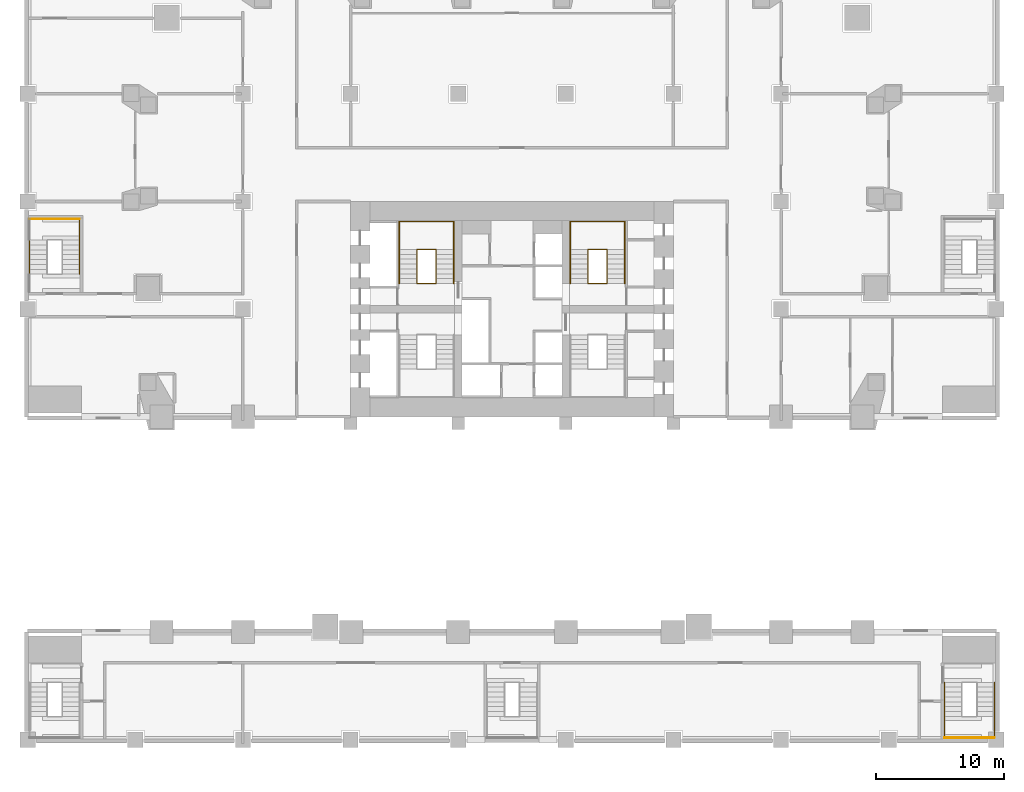
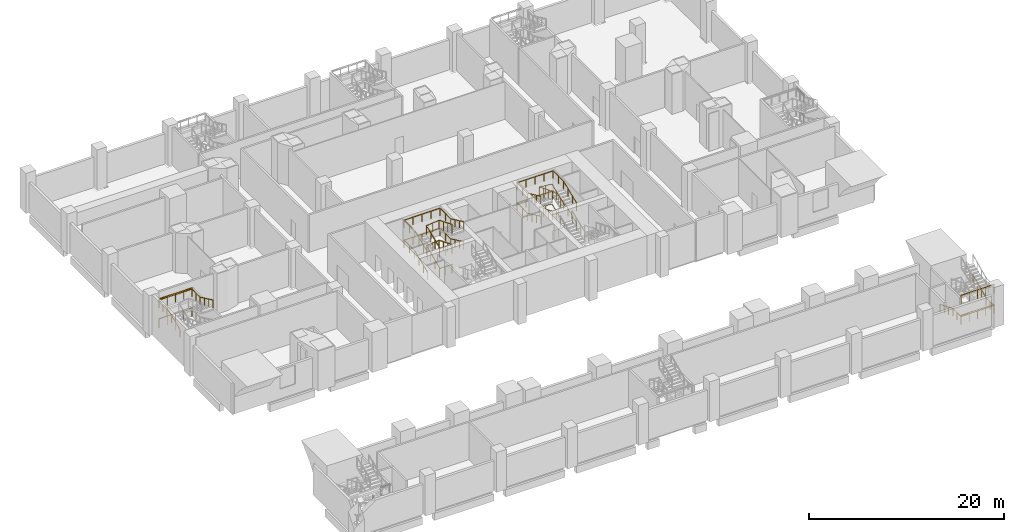
# One storey, part 13 of 16: 14 railings.
"""IFC4 building model written with IfcOpenShell, lengths in metres."""

from ifc_helpers import new_model, si_unit, direction, frame, origin, origin_2d, place, context, subcontext, project, spatial, circle, extrude, material, type_object, element, save


model = new_model("IFC4")

# Units and contexts
model_context = context("Model", 3, precision=1e-05, world=origin(), true_north=direction((0.0, 1.0)))
body_context = subcontext(model_context, "Body", "Model", "MODEL_VIEW")
ifc_project = project(units=[si_unit("LENGTHUNIT", "METRE"), si_unit("AREAUNIT", "SQUARE_METRE"), si_unit("VOLUMEUNIT", "CUBIC_METRE"), si_unit("PLANEANGLEUNIT", "RADIAN"), si_unit("MASSUNIT", "GRAM", prefix="KILO")], contexts=[model_context])

# Site, building, storey
site_placement = place(None, origin())
site = spatial("IfcSite", under=ifc_project, at=site_placement, CompositionType="ELEMENT")
building_placement = place(site_placement, origin())
building = spatial("IfcBuilding", under=site, at=building_placement, Name="Marenta Gate Hotel Tower", CompositionType="ELEMENT")
storey_placement = place(building_placement, frame((0.0, 0.0, 21.0)))
storey = spatial("IfcBuildingStorey", under=building, at=storey_placement, Name="L03", CompositionType="ELEMENT", Elevation=21.0)

# Railings
ifc_material_1 = material(Name="Stainless steel", Category="steel")
railing_type_1 = type_object("IfcRailingType", Name="Core stair handrail 950", PredefinedType="HANDRAIL", material=ifc_material_1)
railing_1_placement = place(storey_placement, frame((-8.800048828125, 10.39990234375, 0.15625)))
element("IfcRailing", 1, at=railing_1_placement, inside=storey, type_object=railing_type_1, Name="HR-950 L03-KR-ST2-1", PredefinedType="HANDRAIL", context=body_context, shape_type="SweptSolid", body=[
    extrude(circle(Radius=0.02392578125, at=origin_2d()), frame((0.0, 0.0, 0.92578125), z_axis=(0.0, 0.924874861033, 0.380271602187), x_axis=(-1.0, 0.0, 0.0)), (0.0, 0.0, 1.0), 2.876220703125),
    extrude(circle(Radius=0.02392578125, at=origin_2d()), frame((0.0, 2.66015625, 2.01953125), z_axis=(0.0, 1.0, 0.0), x_axis=(-1.0, 0.0, 0.0)), (0.0, 0.0, 1.0), 2.18994140625),
    extrude(circle(Radius=0.02392578125, at=origin_2d()), frame((0.0, 4.85009765625, 2.01953125), z_axis=(1.0, 0.0, 0.0), x_axis=(0.0, 1.0, 0.0)), (0.0, 0.0, 1.0), 4.25),
    extrude(circle(Radius=0.02392578125, at=origin_2d()), frame((4.25, 4.85009765625, 2.01953125), z_axis=(0.0, -1.0, 0.0), x_axis=(1.0, 0.0, 0.0)), (0.0, 0.0, 1.0), 2.18994140625),
    extrude(circle(Radius=0.02392578125, at=origin_2d()), frame((4.25, 2.66015625, 2.01953125), z_axis=(0.0, -0.905059511965, 0.425284939543), x_axis=(1.0, 0.0, 0.0)), (0.0, 0.0, 1.0), 2.939208984375),
    extrude(circle(Radius=0.02099609375, at=origin_2d()), origin(), (0.0, 0.0, 1.0), 0.90185546875),
    extrude(circle(Radius=0.02099609375, at=origin_2d()), frame((0.0, 0.88671875, 0.364501953125)), (0.0, 0.0, 1.0), 0.90185546875),
    extrude(circle(Radius=0.02099609375, at=origin_2d()), frame((0.0, 1.7734375, 0.729248046875)), (0.0, 0.0, 1.0), 0.90185546875),
    extrude(circle(Radius=0.02099609375, at=origin_2d()), frame((0.0, 2.66015625, 1.09375)), (0.0, 0.0, 1.0), 0.90185546875),
    extrude(circle(Radius=0.02099609375, at=origin_2d()), frame((0.0, 3.755126953125, 1.09375)), (0.0, 0.0, 1.0), 0.90185546875),
    extrude(circle(Radius=0.02099609375, at=origin_2d()), frame((0.0, 4.85009765625, 1.09375)), (0.0, 0.0, 1.0), 0.90185546875),
    extrude(circle(Radius=0.02099609375, at=origin_2d()), frame((1.0625, 4.85009765625, 1.09375)), (0.0, 0.0, 1.0), 0.90185546875),
    extrude(circle(Radius=0.02099609375, at=origin_2d()), frame((2.125, 4.85009765625, 1.09375)), (0.0, 0.0, 1.0), 0.90185546875),
    extrude(circle(Radius=0.02099609375, at=origin_2d()), frame((3.1875, 4.85009765625, 1.09375)), (0.0, 0.0, 1.0), 0.90185546875),
    extrude(circle(Radius=0.02099609375, at=origin_2d()), frame((4.25, 4.85009765625, 1.09375)), (0.0, 0.0, 1.0), 0.90185546875),
    extrude(circle(Radius=0.02099609375, at=origin_2d()), frame((4.25, 3.755126953125, 1.09375)), (0.0, 0.0, 1.0), 0.90185546875),
    extrude(circle(Radius=0.02099609375, at=origin_2d()), frame((4.25, 2.66015625, 1.09375)), (0.0, 0.0, 1.0), 0.90185546875),
    extrude(circle(Radius=0.02099609375, at=origin_2d()), frame((4.25, 1.7734375, 1.510498046875)), (0.0, 0.0, 1.0), 0.90185546875),
    extrude(circle(Radius=0.02099609375, at=origin_2d()), frame((4.25, 0.88671875, 1.927001953125)), (0.0, 0.0, 1.0), 0.90185546875),
    extrude(circle(Radius=0.02099609375, at=origin_2d()), frame((4.25, 0.0, 2.34375)), (0.0, 0.0, 1.0), 0.90185546875),
])
railing_2_placement = place(storey_placement, frame((-8.800048828125, 10.39990234375, 2.65625)))
element("IfcRailing", 2, at=railing_2_placement, inside=storey, type_object=railing_type_1, Name="HR-950 L03-KR-ST2-3", PredefinedType="HANDRAIL", context=body_context, shape_type="SweptSolid", body=[
    extrude(circle(Radius=0.02392578125, at=origin_2d()), frame((0.0, 0.0, 0.92578125), z_axis=(0.0, 0.924874861033, 0.380271602187), x_axis=(-1.0, 0.0, 0.0)), (0.0, 0.0, 1.0), 2.876220703125),
    extrude(circle(Radius=0.02392578125, at=origin_2d()), frame((0.0, 2.66015625, 2.01953125), z_axis=(0.0, 1.0, 0.0), x_axis=(-1.0, 0.0, 0.0)), (0.0, 0.0, 1.0), 2.18994140625),
    extrude(circle(Radius=0.02392578125, at=origin_2d()), frame((0.0, 4.85009765625, 2.01953125), z_axis=(1.0, 0.0, 0.0), x_axis=(0.0, 1.0, 0.0)), (0.0, 0.0, 1.0), 4.25),
    extrude(circle(Radius=0.02392578125, at=origin_2d()), frame((4.25, 4.85009765625, 2.01953125), z_axis=(0.0, -1.0, 0.0), x_axis=(1.0, 0.0, 0.0)), (0.0, 0.0, 1.0), 2.18994140625),
    extrude(circle(Radius=0.02392578125, at=origin_2d()), frame((4.25, 2.66015625, 2.01953125), z_axis=(0.0, -0.905059511965, 0.425284939543), x_axis=(1.0, 0.0, 0.0)), (0.0, 0.0, 1.0), 2.939208984375),
    extrude(circle(Radius=0.02099609375, at=origin_2d()), origin(), (0.0, 0.0, 1.0), 0.90185546875),
    extrude(circle(Radius=0.02099609375, at=origin_2d()), frame((0.0, 0.88671875, 0.364501953125)), (0.0, 0.0, 1.0), 0.90185546875),
    extrude(circle(Radius=0.02099609375, at=origin_2d()), frame((0.0, 1.7734375, 0.729248046875)), (0.0, 0.0, 1.0), 0.90185546875),
    extrude(circle(Radius=0.02099609375, at=origin_2d()), frame((0.0, 2.66015625, 1.09375)), (0.0, 0.0, 1.0), 0.90185546875),
    extrude(circle(Radius=0.02099609375, at=origin_2d()), frame((0.0, 3.755126953125, 1.09375)), (0.0, 0.0, 1.0), 0.90185546875),
    extrude(circle(Radius=0.02099609375, at=origin_2d()), frame((0.0, 4.85009765625, 1.09375)), (0.0, 0.0, 1.0), 0.90185546875),
    extrude(circle(Radius=0.02099609375, at=origin_2d()), frame((1.0625, 4.85009765625, 1.09375)), (0.0, 0.0, 1.0), 0.90185546875),
    extrude(circle(Radius=0.02099609375, at=origin_2d()), frame((2.125, 4.85009765625, 1.09375)), (0.0, 0.0, 1.0), 0.90185546875),
    extrude(circle(Radius=0.02099609375, at=origin_2d()), frame((3.1875, 4.85009765625, 1.09375)), (0.0, 0.0, 1.0), 0.90185546875),
    extrude(circle(Radius=0.02099609375, at=origin_2d()), frame((4.25, 4.85009765625, 1.09375)), (0.0, 0.0, 1.0), 0.90185546875),
    extrude(circle(Radius=0.02099609375, at=origin_2d()), frame((4.25, 3.755126953125, 1.09375)), (0.0, 0.0, 1.0), 0.90185546875),
    extrude(circle(Radius=0.02099609375, at=origin_2d()), frame((4.25, 2.66015625, 1.09375)), (0.0, 0.0, 1.0), 0.90185546875),
    extrude(circle(Radius=0.02099609375, at=origin_2d()), frame((4.25, 1.7734375, 1.510498046875)), (0.0, 0.0, 1.0), 0.90185546875),
    extrude(circle(Radius=0.02099609375, at=origin_2d()), frame((4.25, 0.88671875, 1.927001953125)), (0.0, 0.0, 1.0), 0.90185546875),
    extrude(circle(Radius=0.02099609375, at=origin_2d()), frame((4.25, 0.0, 2.34375)), (0.0, 0.0, 1.0), 0.90185546875),
])
railing_3_placement = place(storey_placement, frame((8.800048828125, 10.39990234375, 0.15625)))
element("IfcRailing", 3, at=railing_3_placement, inside=storey, type_object=railing_type_1, Name="HR-950 L03-KR-ST4-1", PredefinedType="HANDRAIL", context=body_context, shape_type="SweptSolid", body=[
    extrude(circle(Radius=0.02392578125, at=origin_2d()), frame((0.0, 0.0, 0.92578125), z_axis=(0.0, 0.924874861033, 0.380271602187), x_axis=(-1.0, 0.0, 0.0)), (0.0, 0.0, 1.0), 2.876220703125),
    extrude(circle(Radius=0.02392578125, at=origin_2d()), frame((0.0, 2.66015625, 2.01953125), z_axis=(0.0, 1.0, 0.0), x_axis=(-1.0, 0.0, 0.0)), (0.0, 0.0, 1.0), 2.18994140625),
    extrude(circle(Radius=0.02392578125, at=origin_2d()), frame((0.0, 4.85009765625, 2.01953125), z_axis=(-1.0, 0.0, 0.0), x_axis=(0.0, -1.0, 0.0)), (0.0, 0.0, 1.0), 4.25),
    extrude(circle(Radius=0.02392578125, at=origin_2d()), frame((-4.25, 4.85009765625, 2.01953125), z_axis=(0.0, -1.0, 0.0), x_axis=(1.0, 0.0, 0.0)), (0.0, 0.0, 1.0), 2.18994140625),
    extrude(circle(Radius=0.02392578125, at=origin_2d()), frame((-4.25, 2.66015625, 2.01953125), z_axis=(0.0, -0.905059511965, 0.425284939543), x_axis=(1.0, 0.0, 0.0)), (0.0, 0.0, 1.0), 2.939208984375),
    extrude(circle(Radius=0.02099609375, at=origin_2d()), origin(), (0.0, 0.0, 1.0), 0.90185546875),
    extrude(circle(Radius=0.02099609375, at=origin_2d()), frame((0.0, 0.88671875, 0.364501953125)), (0.0, 0.0, 1.0), 0.90185546875),
    extrude(circle(Radius=0.02099609375, at=origin_2d()), frame((0.0, 1.7734375, 0.729248046875)), (0.0, 0.0, 1.0), 0.90185546875),
    extrude(circle(Radius=0.02099609375, at=origin_2d()), frame((0.0, 2.66015625, 1.09375)), (0.0, 0.0, 1.0), 0.90185546875),
    extrude(circle(Radius=0.02099609375, at=origin_2d()), frame((0.0, 3.755126953125, 1.09375)), (0.0, 0.0, 1.0), 0.90185546875),
    extrude(circle(Radius=0.02099609375, at=origin_2d()), frame((0.0, 4.85009765625, 1.09375)), (0.0, 0.0, 1.0), 0.90185546875),
    extrude(circle(Radius=0.02099609375, at=origin_2d()), frame((-1.0625, 4.85009765625, 1.09375)), (0.0, 0.0, 1.0), 0.90185546875),
    extrude(circle(Radius=0.02099609375, at=origin_2d()), frame((-2.125, 4.85009765625, 1.09375)), (0.0, 0.0, 1.0), 0.90185546875),
    extrude(circle(Radius=0.02099609375, at=origin_2d()), frame((-3.1875, 4.85009765625, 1.09375)), (0.0, 0.0, 1.0), 0.90185546875),
    extrude(circle(Radius=0.02099609375, at=origin_2d()), frame((-4.25, 4.85009765625, 1.09375)), (0.0, 0.0, 1.0), 0.90185546875),
    extrude(circle(Radius=0.02099609375, at=origin_2d()), frame((-4.25, 3.755126953125, 1.09375)), (0.0, 0.0, 1.0), 0.90185546875),
    extrude(circle(Radius=0.02099609375, at=origin_2d()), frame((-4.25, 2.66015625, 1.09375)), (0.0, 0.0, 1.0), 0.90185546875),
    extrude(circle(Radius=0.02099609375, at=origin_2d()), frame((-4.25, 1.7734375, 1.510498046875)), (0.0, 0.0, 1.0), 0.90185546875),
    extrude(circle(Radius=0.02099609375, at=origin_2d()), frame((-4.25, 0.88671875, 1.927001953125)), (0.0, 0.0, 1.0), 0.90185546875),
    extrude(circle(Radius=0.02099609375, at=origin_2d()), frame((-4.25, 0.0, 2.34375)), (0.0, 0.0, 1.0), 0.90185546875),
])
railing_4_placement = place(storey_placement, frame((8.800048828125, 10.39990234375, 2.65625)))
element("IfcRailing", 4, at=railing_4_placement, inside=storey, type_object=railing_type_1, Name="HR-950 L03-KR-ST4-3", PredefinedType="HANDRAIL", context=body_context, shape_type="SweptSolid", body=[
    extrude(circle(Radius=0.02392578125, at=origin_2d()), frame((0.0, 0.0, 0.92578125), z_axis=(0.0, 0.924874861033, 0.380271602187), x_axis=(-1.0, 0.0, 0.0)), (0.0, 0.0, 1.0), 2.876220703125),
    extrude(circle(Radius=0.02392578125, at=origin_2d()), frame((0.0, 2.66015625, 2.01953125), z_axis=(0.0, 1.0, 0.0), x_axis=(-1.0, 0.0, 0.0)), (0.0, 0.0, 1.0), 2.18994140625),
    extrude(circle(Radius=0.02392578125, at=origin_2d()), frame((0.0, 4.85009765625, 2.01953125), z_axis=(-1.0, 0.0, 0.0), x_axis=(0.0, -1.0, 0.0)), (0.0, 0.0, 1.0), 4.25),
    extrude(circle(Radius=0.02392578125, at=origin_2d()), frame((-4.25, 4.85009765625, 2.01953125), z_axis=(0.0, -1.0, 0.0), x_axis=(1.0, 0.0, 0.0)), (0.0, 0.0, 1.0), 2.18994140625),
    extrude(circle(Radius=0.02392578125, at=origin_2d()), frame((-4.25, 2.66015625, 2.01953125), z_axis=(0.0, -0.905059511965, 0.425284939543), x_axis=(1.0, 0.0, 0.0)), (0.0, 0.0, 1.0), 2.939208984375),
    extrude(circle(Radius=0.02099609375, at=origin_2d()), origin(), (0.0, 0.0, 1.0), 0.90185546875),
    extrude(circle(Radius=0.02099609375, at=origin_2d()), frame((0.0, 0.88671875, 0.364501953125)), (0.0, 0.0, 1.0), 0.90185546875),
    extrude(circle(Radius=0.02099609375, at=origin_2d()), frame((0.0, 1.7734375, 0.729248046875)), (0.0, 0.0, 1.0), 0.90185546875),
    extrude(circle(Radius=0.02099609375, at=origin_2d()), frame((0.0, 2.66015625, 1.09375)), (0.0, 0.0, 1.0), 0.90185546875),
    extrude(circle(Radius=0.02099609375, at=origin_2d()), frame((0.0, 3.755126953125, 1.09375)), (0.0, 0.0, 1.0), 0.90185546875),
    extrude(circle(Radius=0.02099609375, at=origin_2d()), frame((0.0, 4.85009765625, 1.09375)), (0.0, 0.0, 1.0), 0.90185546875),
    extrude(circle(Radius=0.02099609375, at=origin_2d()), frame((-1.0625, 4.85009765625, 1.09375)), (0.0, 0.0, 1.0), 0.90185546875),
    extrude(circle(Radius=0.02099609375, at=origin_2d()), frame((-2.125, 4.85009765625, 1.09375)), (0.0, 0.0, 1.0), 0.90185546875),
    extrude(circle(Radius=0.02099609375, at=origin_2d()), frame((-3.1875, 4.85009765625, 1.09375)), (0.0, 0.0, 1.0), 0.90185546875),
    extrude(circle(Radius=0.02099609375, at=origin_2d()), frame((-4.25, 4.85009765625, 1.09375)), (0.0, 0.0, 1.0), 0.90185546875),
    extrude(circle(Radius=0.02099609375, at=origin_2d()), frame((-4.25, 3.755126953125, 1.09375)), (0.0, 0.0, 1.0), 0.90185546875),
    extrude(circle(Radius=0.02099609375, at=origin_2d()), frame((-4.25, 2.66015625, 1.09375)), (0.0, 0.0, 1.0), 0.90185546875),
    extrude(circle(Radius=0.02099609375, at=origin_2d()), frame((-4.25, 1.7734375, 1.510498046875)), (0.0, 0.0, 1.0), 0.90185546875),
    extrude(circle(Radius=0.02099609375, at=origin_2d()), frame((-4.25, 0.88671875, 1.927001953125)), (0.0, 0.0, 1.0), 0.90185546875),
    extrude(circle(Radius=0.02099609375, at=origin_2d()), frame((-4.25, 0.0, 2.34375)), (0.0, 0.0, 1.0), 0.90185546875),
])
railing_5_placement = place(storey_placement, frame((33.75, -20.72998046875, 0.15625)))
element("IfcRailing", 5, at=railing_5_placement, inside=storey, type_object=railing_type_1, Name="HR-950 L03-KR-PX2-2", PredefinedType="HANDRAIL", context=body_context, shape_type="SweptSolid", body=[
    extrude(circle(Radius=0.02392578125, at=origin_2d()), frame((0.0, 0.0, 0.92578125), z_axis=(0.0, -0.924862585091, 0.38030145766), x_axis=(1.0, 0.0, 0.0)), (0.0, 0.0, 1.0), 2.8759765625),
    extrude(circle(Radius=0.02392578125, at=origin_2d()), frame((0.0, -2.659912109375, 2.01953125), z_axis=(0.0, -1.0, 0.0), x_axis=(1.0, 0.0, 0.0)), (0.0, 0.0, 1.0), 1.66015625),
    extrude(circle(Radius=0.02392578125, at=origin_2d()), frame((0.0, -4.320068359375, 2.01953125), z_axis=(1.0, 0.0, 0.0), x_axis=(0.0, 1.0, 0.0)), (0.0, 0.0, 1.0), 3.89990234375),
    extrude(circle(Radius=0.02392578125, at=origin_2d()), frame((3.89990234375, -4.320068359375, 2.01953125), z_axis=(0.0, 1.0, 0.0), x_axis=(-1.0, 0.0, 0.0)), (0.0, 0.0, 1.0), 1.66015625),
    extrude(circle(Radius=0.02392578125, at=origin_2d()), frame((3.89990234375, -2.659912109375, 2.01953125), z_axis=(0.0, 0.905044486808, 0.425316913488), x_axis=(-1.0, 0.0, 0.0)), (0.0, 0.0, 1.0), 2.93896484375),
    extrude(circle(Radius=0.02099609375, at=origin_2d()), origin(), (0.0, 0.0, 1.0), 0.90185546875),
    extrude(circle(Radius=0.02099609375, at=origin_2d()), frame((0.0, -0.88671875, 0.364501953125)), (0.0, 0.0, 1.0), 0.90185546875),
    extrude(circle(Radius=0.02099609375, at=origin_2d()), frame((0.0, -1.773193359375, 0.729248046875)), (0.0, 0.0, 1.0), 0.90185546875),
    extrude(circle(Radius=0.02099609375, at=origin_2d()), frame((0.0, -2.659912109375, 1.09375)), (0.0, 0.0, 1.0), 0.90185546875),
    extrude(circle(Radius=0.02099609375, at=origin_2d()), frame((0.0, -3.489990234375, 1.09375)), (0.0, 0.0, 1.0), 0.90185546875),
    extrude(circle(Radius=0.02099609375, at=origin_2d()), frame((0.0, -4.320068359375, 1.09375)), (0.0, 0.0, 1.0), 0.90185546875),
    extrude(circle(Radius=0.02099609375, at=origin_2d()), frame((0.97509765625, -4.320068359375, 1.09375)), (0.0, 0.0, 1.0), 0.90185546875),
    extrude(circle(Radius=0.02099609375, at=origin_2d()), frame((1.949951171875, -4.320068359375, 1.09375)), (0.0, 0.0, 1.0), 0.90185546875),
    extrude(circle(Radius=0.02099609375, at=origin_2d()), frame((2.9248046875, -4.320068359375, 1.09375)), (0.0, 0.0, 1.0), 0.90185546875),
    extrude(circle(Radius=0.02099609375, at=origin_2d()), frame((3.89990234375, -4.320068359375, 1.09375)), (0.0, 0.0, 1.0), 0.90185546875),
    extrude(circle(Radius=0.02099609375, at=origin_2d()), frame((3.89990234375, -3.489990234375, 1.09375)), (0.0, 0.0, 1.0), 0.90185546875),
    extrude(circle(Radius=0.02099609375, at=origin_2d()), frame((3.89990234375, -2.659912109375, 1.09375)), (0.0, 0.0, 1.0), 0.90185546875),
    extrude(circle(Radius=0.02099609375, at=origin_2d()), frame((3.89990234375, -1.773193359375, 1.510498046875)), (0.0, 0.0, 1.0), 0.90185546875),
    extrude(circle(Radius=0.02099609375, at=origin_2d()), frame((3.89990234375, -0.88671875, 1.927001953125)), (0.0, 0.0, 1.0), 0.90185546875),
    extrude(circle(Radius=0.02099609375, at=origin_2d()), frame((3.89990234375, 0.0, 2.34375)), (0.0, 0.0, 1.0), 0.90185546875),
])
railing_6_placement = place(storey_placement, frame((-37.64990234375, 11.1298828125, 2.65625)))
element("IfcRailing", 6, at=railing_6_placement, inside=storey, type_object=railing_type_1, Name="HR-950 L03-KR-PX6-5", PredefinedType="HANDRAIL", context=body_context, shape_type="SweptSolid", body=[
    extrude(circle(Radius=0.02392578125, at=origin_2d()), frame((0.0, 0.0, 0.92578125), z_axis=(0.0, 0.924874861033, 0.380271602187), x_axis=(-1.0, 0.0, 0.0)), (0.0, 0.0, 1.0), 2.876220703125),
    extrude(circle(Radius=0.02392578125, at=origin_2d()), frame((0.0, 2.66015625, 2.01953125), z_axis=(0.0, 1.0, 0.0), x_axis=(-1.0, 0.0, 0.0)), (0.0, 0.0, 1.0), 1.659912109375),
    extrude(circle(Radius=0.02392578125, at=origin_2d()), frame((0.0, 4.320068359375, 2.01953125), z_axis=(1.0, 0.0, 0.0), x_axis=(0.0, 1.0, 0.0)), (0.0, 0.0, 1.0), 3.89990234375),
    extrude(circle(Radius=0.02392578125, at=origin_2d()), frame((3.89990234375, 4.320068359375, 2.01953125), z_axis=(0.0, -1.0, 0.0), x_axis=(1.0, 0.0, 0.0)), (0.0, 0.0, 1.0), 1.659912109375),
    extrude(circle(Radius=0.02392578125, at=origin_2d()), frame((3.89990234375, 2.66015625, 2.01953125), z_axis=(0.0, -0.905059511965, 0.425284939543), x_axis=(1.0, 0.0, 0.0)), (0.0, 0.0, 1.0), 2.939208984375),
    extrude(circle(Radius=0.02099609375, at=origin_2d()), origin(), (0.0, 0.0, 1.0), 0.90185546875),
    extrude(circle(Radius=0.02099609375, at=origin_2d()), frame((0.0, 0.88671875, 0.364501953125)), (0.0, 0.0, 1.0), 0.90185546875),
    extrude(circle(Radius=0.02099609375, at=origin_2d()), frame((0.0, 1.7734375, 0.729248046875)), (0.0, 0.0, 1.0), 0.90185546875),
    extrude(circle(Radius=0.02099609375, at=origin_2d()), frame((0.0, 2.66015625, 1.09375)), (0.0, 0.0, 1.0), 0.90185546875),
    extrude(circle(Radius=0.02099609375, at=origin_2d()), frame((0.0, 3.490234375, 1.09375)), (0.0, 0.0, 1.0), 0.90185546875),
    extrude(circle(Radius=0.02099609375, at=origin_2d()), frame((0.0, 4.320068359375, 1.09375)), (0.0, 0.0, 1.0), 0.90185546875),
    extrude(circle(Radius=0.02099609375, at=origin_2d()), frame((0.97509765625, 4.320068359375, 1.09375)), (0.0, 0.0, 1.0), 0.90185546875),
    extrude(circle(Radius=0.02099609375, at=origin_2d()), frame((1.949951171875, 4.320068359375, 1.09375)), (0.0, 0.0, 1.0), 0.90185546875),
    extrude(circle(Radius=0.02099609375, at=origin_2d()), frame((2.9248046875, 4.320068359375, 1.09375)), (0.0, 0.0, 1.0), 0.90185546875),
    extrude(circle(Radius=0.02099609375, at=origin_2d()), frame((3.89990234375, 4.320068359375, 1.09375)), (0.0, 0.0, 1.0), 0.90185546875),
    extrude(circle(Radius=0.02099609375, at=origin_2d()), frame((3.89990234375, 3.490234375, 1.09375)), (0.0, 0.0, 1.0), 0.90185546875),
    extrude(circle(Radius=0.02099609375, at=origin_2d()), frame((3.89990234375, 2.66015625, 1.09375)), (0.0, 0.0, 1.0), 0.90185546875),
    extrude(circle(Radius=0.02099609375, at=origin_2d()), frame((3.89990234375, 1.7734375, 1.510498046875)), (0.0, 0.0, 1.0), 0.90185546875),
    extrude(circle(Radius=0.02099609375, at=origin_2d()), frame((3.89990234375, 0.88671875, 1.927001953125)), (0.0, 0.0, 1.0), 0.90185546875),
    extrude(circle(Radius=0.02099609375, at=origin_2d()), frame((3.89990234375, 0.0, 2.34375)), (0.0, 0.0, 1.0), 0.90185546875),
])
ifc_material_2 = material(Name="Stainless steel", Category="steel")
railing_type_2 = type_object("IfcRailingType", Name="Core stair well guard 1100", PredefinedType="GUARDRAIL", material=ifc_material_2)
railing_7_placement = place(storey_placement, frame((-5.929931640625, 10.39990234375, 0.0)))
element("IfcRailing", 7, at=railing_7_placement, inside=storey, type_object=railing_type_2, Name="GR-1100 L03-KR-ST2-2", PredefinedType="GUARDRAIL", context=body_context, shape_type="SweptSolid", body=[
    extrude(circle(Radius=0.02392578125, at=origin_2d()), frame((0.0, 0.0, 1.076171875), z_axis=(-1.0, 0.0, 0.0), x_axis=(0.0, -1.0, 0.0)), (0.0, 0.0, 1.0), 1.489990234375),
    extrude(circle(Radius=0.02392578125, at=origin_2d()), frame((-1.489990234375, 0.0, 1.076171875), z_axis=(0.0, 0.0, 1.0), x_axis=(1.0, 0.0, 0.0)), (0.0, 0.0, 1.0), 0.15625),
    extrude(circle(Radius=0.02392578125, at=origin_2d()), frame((-1.489990234375, 0.0, 1.232421875), z_axis=(0.0, 0.924874861033, 0.380271602187), x_axis=(-1.0, 0.0, 0.0)), (0.0, 0.0, 1.0), 2.876220703125),
    extrude(circle(Radius=0.02392578125, at=origin_2d()), frame((-1.489990234375, 2.66015625, 2.326171875), z_axis=(0.994546451282, 0.0, 0.104294564775), x_axis=(0.0, 1.0, 0.0)), (0.0, 0.0, 1.0), 1.498046875),
    extrude(circle(Radius=0.02392578125, at=origin_2d()), frame((0.0, 2.66015625, 2.482421875), z_axis=(0.0, -0.924874861033, 0.380271602187), x_axis=(1.0, 0.0, 0.0)), (0.0, 0.0, 1.0), 2.876220703125),
    extrude(circle(Radius=0.02099609375, at=origin_2d()), origin(), (0.0, 0.0, 1.0), 1.052001953125),
    extrude(circle(Radius=0.02099609375, at=origin_2d()), frame((-0.7451171875, 0.0, 0.0)), (0.0, 0.0, 1.0), 1.052001953125),
    extrude(circle(Radius=0.02099609375, at=origin_2d()), frame((-1.489990234375, 0.0, 0.0)), (0.0, 0.0, 1.0), 1.052001953125),
    extrude(circle(Radius=0.02099609375, at=origin_2d()), frame((-1.489990234375, 0.0, 0.15625)), (0.0, 0.0, 1.0), 1.052001953125),
    extrude(circle(Radius=0.02099609375, at=origin_2d()), frame((-1.489990234375, 0.88671875, 0.520751953125)), (0.0, 0.0, 1.0), 1.052001953125),
    extrude(circle(Radius=0.02099609375, at=origin_2d()), frame((-1.489990234375, 1.7734375, 0.885498046875)), (0.0, 0.0, 1.0), 1.052001953125),
    extrude(circle(Radius=0.02099609375, at=origin_2d()), frame((-1.489990234375, 2.66015625, 1.25)), (0.0, 0.0, 1.0), 1.052001953125),
    extrude(circle(Radius=0.02099609375, at=origin_2d()), frame((-0.7451171875, 2.66015625, 1.328125)), (0.0, 0.0, 1.0), 1.052001953125),
    extrude(circle(Radius=0.02099609375, at=origin_2d()), frame((0.0, 2.66015625, 1.40625)), (0.0, 0.0, 1.0), 1.052001953125),
    extrude(circle(Radius=0.02099609375, at=origin_2d()), frame((0.0, 1.7734375, 1.770751953125)), (0.0, 0.0, 1.0), 1.052001953125),
    extrude(circle(Radius=0.02099609375, at=origin_2d()), frame((0.0, 0.88671875, 2.135498046875)), (0.0, 0.0, 1.0), 1.052001953125),
    extrude(circle(Radius=0.02099609375, at=origin_2d()), frame((0.0, 0.0, 2.5)), (0.0, 0.0, 1.0), 1.052001953125),
])
railing_8_placement = place(storey_placement, frame((-5.929931640625, 10.39990234375, 2.5)))
element("IfcRailing", 8, at=railing_8_placement, inside=storey, type_object=railing_type_2, Name="GR-1100 L03-KR-ST2-4", PredefinedType="GUARDRAIL", context=body_context, shape_type="SweptSolid", body=[
    extrude(circle(Radius=0.02392578125, at=origin_2d()), frame((0.0, 0.0, 1.076171875), z_axis=(-1.0, 0.0, 0.0), x_axis=(0.0, -1.0, 0.0)), (0.0, 0.0, 1.0), 1.489990234375),
    extrude(circle(Radius=0.02392578125, at=origin_2d()), frame((-1.489990234375, 0.0, 1.076171875), z_axis=(0.0, 0.0, 1.0), x_axis=(1.0, 0.0, 0.0)), (0.0, 0.0, 1.0), 0.15625),
    extrude(circle(Radius=0.02392578125, at=origin_2d()), frame((-1.489990234375, 0.0, 1.232421875), z_axis=(0.0, 0.924874861033, 0.380271602187), x_axis=(-1.0, 0.0, 0.0)), (0.0, 0.0, 1.0), 2.876220703125),
    extrude(circle(Radius=0.02392578125, at=origin_2d()), frame((-1.489990234375, 2.66015625, 2.326171875), z_axis=(0.994546451282, 0.0, 0.104294564775), x_axis=(0.0, 1.0, 0.0)), (0.0, 0.0, 1.0), 1.498046875),
    extrude(circle(Radius=0.02392578125, at=origin_2d()), frame((0.0, 2.66015625, 2.482421875), z_axis=(0.0, -0.924874861033, 0.380271602187), x_axis=(1.0, 0.0, 0.0)), (0.0, 0.0, 1.0), 2.876220703125),
    extrude(circle(Radius=0.02099609375, at=origin_2d()), origin(), (0.0, 0.0, 1.0), 1.052001953125),
    extrude(circle(Radius=0.02099609375, at=origin_2d()), frame((-0.7451171875, 0.0, 0.0)), (0.0, 0.0, 1.0), 1.052001953125),
    extrude(circle(Radius=0.02099609375, at=origin_2d()), frame((-1.489990234375, 0.0, 0.0)), (0.0, 0.0, 1.0), 1.052001953125),
    extrude(circle(Radius=0.02099609375, at=origin_2d()), frame((-1.489990234375, 0.0, 0.15625)), (0.0, 0.0, 1.0), 1.052001953125),
    extrude(circle(Radius=0.02099609375, at=origin_2d()), frame((-1.489990234375, 0.88671875, 0.520751953125)), (0.0, 0.0, 1.0), 1.052001953125),
    extrude(circle(Radius=0.02099609375, at=origin_2d()), frame((-1.489990234375, 1.7734375, 0.885498046875)), (0.0, 0.0, 1.0), 1.052001953125),
    extrude(circle(Radius=0.02099609375, at=origin_2d()), frame((-1.489990234375, 2.66015625, 1.25)), (0.0, 0.0, 1.0), 1.052001953125),
    extrude(circle(Radius=0.02099609375, at=origin_2d()), frame((-0.7451171875, 2.66015625, 1.328125)), (0.0, 0.0, 1.0), 1.052001953125),
    extrude(circle(Radius=0.02099609375, at=origin_2d()), frame((0.0, 2.66015625, 1.40625)), (0.0, 0.0, 1.0), 1.052001953125),
    extrude(circle(Radius=0.02099609375, at=origin_2d()), frame((0.0, 1.7734375, 1.770751953125)), (0.0, 0.0, 1.0), 1.052001953125),
    extrude(circle(Radius=0.02099609375, at=origin_2d()), frame((0.0, 0.88671875, 2.135498046875)), (0.0, 0.0, 1.0), 1.052001953125),
    extrude(circle(Radius=0.02099609375, at=origin_2d()), frame((0.0, 0.0, 2.5)), (0.0, 0.0, 1.0), 1.052001953125),
])
railing_9_placement = place(storey_placement, frame((5.929931640625, 10.39990234375, 0.0)))
element("IfcRailing", 9, at=railing_9_placement, inside=storey, type_object=railing_type_2, Name="GR-1100 L03-KR-ST4-2", PredefinedType="GUARDRAIL", context=body_context, shape_type="SweptSolid", body=[
    extrude(circle(Radius=0.02392578125, at=origin_2d()), frame((0.0, 0.0, 1.076171875), z_axis=(1.0, 0.0, 0.0), x_axis=(0.0, 1.0, 0.0)), (0.0, 0.0, 1.0), 1.489990234375),
    extrude(circle(Radius=0.02392578125, at=origin_2d()), frame((1.489990234375, 0.0, 1.076171875), z_axis=(0.0, 0.0, 1.0), x_axis=(1.0, 0.0, 0.0)), (0.0, 0.0, 1.0), 0.15625),
    extrude(circle(Radius=0.02392578125, at=origin_2d()), frame((1.489990234375, 0.0, 1.232421875), z_axis=(0.0, 0.924874861033, 0.380271602187), x_axis=(-1.0, 0.0, 0.0)), (0.0, 0.0, 1.0), 2.876220703125),
    extrude(circle(Radius=0.02392578125, at=origin_2d()), frame((1.489990234375, 2.66015625, 2.326171875), z_axis=(-0.994546451282, 0.0, 0.104294564775), x_axis=(0.0, -1.0, 0.0)), (0.0, 0.0, 1.0), 1.498046875),
    extrude(circle(Radius=0.02392578125, at=origin_2d()), frame((0.0, 2.66015625, 2.482421875), z_axis=(0.0, -0.924874861033, 0.380271602187), x_axis=(1.0, 0.0, 0.0)), (0.0, 0.0, 1.0), 2.876220703125),
    extrude(circle(Radius=0.02099609375, at=origin_2d()), origin(), (0.0, 0.0, 1.0), 1.052001953125),
    extrude(circle(Radius=0.02099609375, at=origin_2d()), frame((0.7451171875, 0.0, 0.0)), (0.0, 0.0, 1.0), 1.052001953125),
    extrude(circle(Radius=0.02099609375, at=origin_2d()), frame((1.489990234375, 0.0, 0.0)), (0.0, 0.0, 1.0), 1.052001953125),
    extrude(circle(Radius=0.02099609375, at=origin_2d()), frame((1.489990234375, 0.0, 0.15625)), (0.0, 0.0, 1.0), 1.052001953125),
    extrude(circle(Radius=0.02099609375, at=origin_2d()), frame((1.489990234375, 0.88671875, 0.520751953125)), (0.0, 0.0, 1.0), 1.052001953125),
    extrude(circle(Radius=0.02099609375, at=origin_2d()), frame((1.489990234375, 1.7734375, 0.885498046875)), (0.0, 0.0, 1.0), 1.052001953125),
    extrude(circle(Radius=0.02099609375, at=origin_2d()), frame((1.489990234375, 2.66015625, 1.25)), (0.0, 0.0, 1.0), 1.052001953125),
    extrude(circle(Radius=0.02099609375, at=origin_2d()), frame((0.7451171875, 2.66015625, 1.328125)), (0.0, 0.0, 1.0), 1.052001953125),
    extrude(circle(Radius=0.02099609375, at=origin_2d()), frame((0.0, 2.66015625, 1.40625)), (0.0, 0.0, 1.0), 1.052001953125),
    extrude(circle(Radius=0.02099609375, at=origin_2d()), frame((0.0, 1.7734375, 1.770751953125)), (0.0, 0.0, 1.0), 1.052001953125),
    extrude(circle(Radius=0.02099609375, at=origin_2d()), frame((0.0, 0.88671875, 2.135498046875)), (0.0, 0.0, 1.0), 1.052001953125),
    extrude(circle(Radius=0.02099609375, at=origin_2d()), frame((0.0, 0.0, 2.5)), (0.0, 0.0, 1.0), 1.052001953125),
])
railing_10_placement = place(storey_placement, frame((5.929931640625, 10.39990234375, 2.5)))
element("IfcRailing", 10, at=railing_10_placement, inside=storey, type_object=railing_type_2, Name="GR-1100 L03-KR-ST4-4", PredefinedType="GUARDRAIL", context=body_context, shape_type="SweptSolid", body=[
    extrude(circle(Radius=0.02392578125, at=origin_2d()), frame((0.0, 0.0, 1.076171875), z_axis=(1.0, 0.0, 0.0), x_axis=(0.0, 1.0, 0.0)), (0.0, 0.0, 1.0), 1.489990234375),
    extrude(circle(Radius=0.02392578125, at=origin_2d()), frame((1.489990234375, 0.0, 1.076171875), z_axis=(0.0, 0.0, 1.0), x_axis=(1.0, 0.0, 0.0)), (0.0, 0.0, 1.0), 0.15625),
    extrude(circle(Radius=0.02392578125, at=origin_2d()), frame((1.489990234375, 0.0, 1.232421875), z_axis=(0.0, 0.924874861033, 0.380271602187), x_axis=(-1.0, 0.0, 0.0)), (0.0, 0.0, 1.0), 2.876220703125),
    extrude(circle(Radius=0.02392578125, at=origin_2d()), frame((1.489990234375, 2.66015625, 2.326171875), z_axis=(-0.994546451282, 0.0, 0.104294564775), x_axis=(0.0, -1.0, 0.0)), (0.0, 0.0, 1.0), 1.498046875),
    extrude(circle(Radius=0.02392578125, at=origin_2d()), frame((0.0, 2.66015625, 2.482421875), z_axis=(0.0, -0.924874861033, 0.380271602187), x_axis=(1.0, 0.0, 0.0)), (0.0, 0.0, 1.0), 2.876220703125),
    extrude(circle(Radius=0.02099609375, at=origin_2d()), origin(), (0.0, 0.0, 1.0), 1.052001953125),
    extrude(circle(Radius=0.02099609375, at=origin_2d()), frame((0.7451171875, 0.0, 0.0)), (0.0, 0.0, 1.0), 1.052001953125),
    extrude(circle(Radius=0.02099609375, at=origin_2d()), frame((1.489990234375, 0.0, 0.0)), (0.0, 0.0, 1.0), 1.052001953125),
    extrude(circle(Radius=0.02099609375, at=origin_2d()), frame((1.489990234375, 0.0, 0.15625)), (0.0, 0.0, 1.0), 1.052001953125),
    extrude(circle(Radius=0.02099609375, at=origin_2d()), frame((1.489990234375, 0.88671875, 0.520751953125)), (0.0, 0.0, 1.0), 1.052001953125),
    extrude(circle(Radius=0.02099609375, at=origin_2d()), frame((1.489990234375, 1.7734375, 0.885498046875)), (0.0, 0.0, 1.0), 1.052001953125),
    extrude(circle(Radius=0.02099609375, at=origin_2d()), frame((1.489990234375, 2.66015625, 1.25)), (0.0, 0.0, 1.0), 1.052001953125),
    extrude(circle(Radius=0.02099609375, at=origin_2d()), frame((0.7451171875, 2.66015625, 1.328125)), (0.0, 0.0, 1.0), 1.052001953125),
    extrude(circle(Radius=0.02099609375, at=origin_2d()), frame((0.0, 2.66015625, 1.40625)), (0.0, 0.0, 1.0), 1.052001953125),
    extrude(circle(Radius=0.02099609375, at=origin_2d()), frame((0.0, 1.7734375, 1.770751953125)), (0.0, 0.0, 1.0), 1.052001953125),
    extrude(circle(Radius=0.02099609375, at=origin_2d()), frame((0.0, 0.88671875, 2.135498046875)), (0.0, 0.0, 1.0), 1.052001953125),
    extrude(circle(Radius=0.02099609375, at=origin_2d()), frame((0.0, 0.0, 2.5)), (0.0, 0.0, 1.0), 1.052001953125),
])
for number, where, name in (
    (11, (33.75, -25.050048828125, 1.25), "GR-1100 L03-KR-PX2-1"),
    (12, (33.75, -25.050048828125, 3.75), "GR-1100 L03-KR-PX2-4"),
    (13, (-37.64990234375, 15.449951171875, 1.25), "GR-1100 L03-KR-PX6-1"),
    (14, (-37.64990234375, 15.449951171875, 3.75), "GR-1100 L03-KR-PX6-4"),
):
    element("IfcRailing", number, at=place(storey_placement, frame(where)), inside=storey, type_object=railing_type_2, Name=name, PredefinedType="GUARDRAIL", context=body_context, shape_type="SweptSolid", body=[
        extrude(circle(Radius=0.02392578125, at=origin_2d()), frame((0.0, 0.0, 1.076171875), z_axis=(1.0, 0.0, 0.0), x_axis=(0.0, 1.0, 0.0)), (0.0, 0.0, 1.0), 3.89990234375),
        extrude(circle(Radius=0.02099609375, at=origin_2d()), origin(), (0.0, 0.0, 1.0), 1.052001953125),
        extrude(circle(Radius=0.02099609375, at=origin_2d()), frame((0.97509765625, 0.0, 0.0)), (0.0, 0.0, 1.0), 1.052001953125),
        extrude(circle(Radius=0.02099609375, at=origin_2d()), frame((1.949951171875, 0.0, 0.0)), (0.0, 0.0, 1.0), 1.052001953125),
        extrude(circle(Radius=0.02099609375, at=origin_2d()), frame((2.9248046875, 0.0, 0.0)), (0.0, 0.0, 1.0), 1.052001953125),
        extrude(circle(Radius=0.02099609375, at=origin_2d()), frame((3.89990234375, 0.0, 0.0)), (0.0, 0.0, 1.0), 1.052001953125),
    ])

save(model, "model.ifc")
